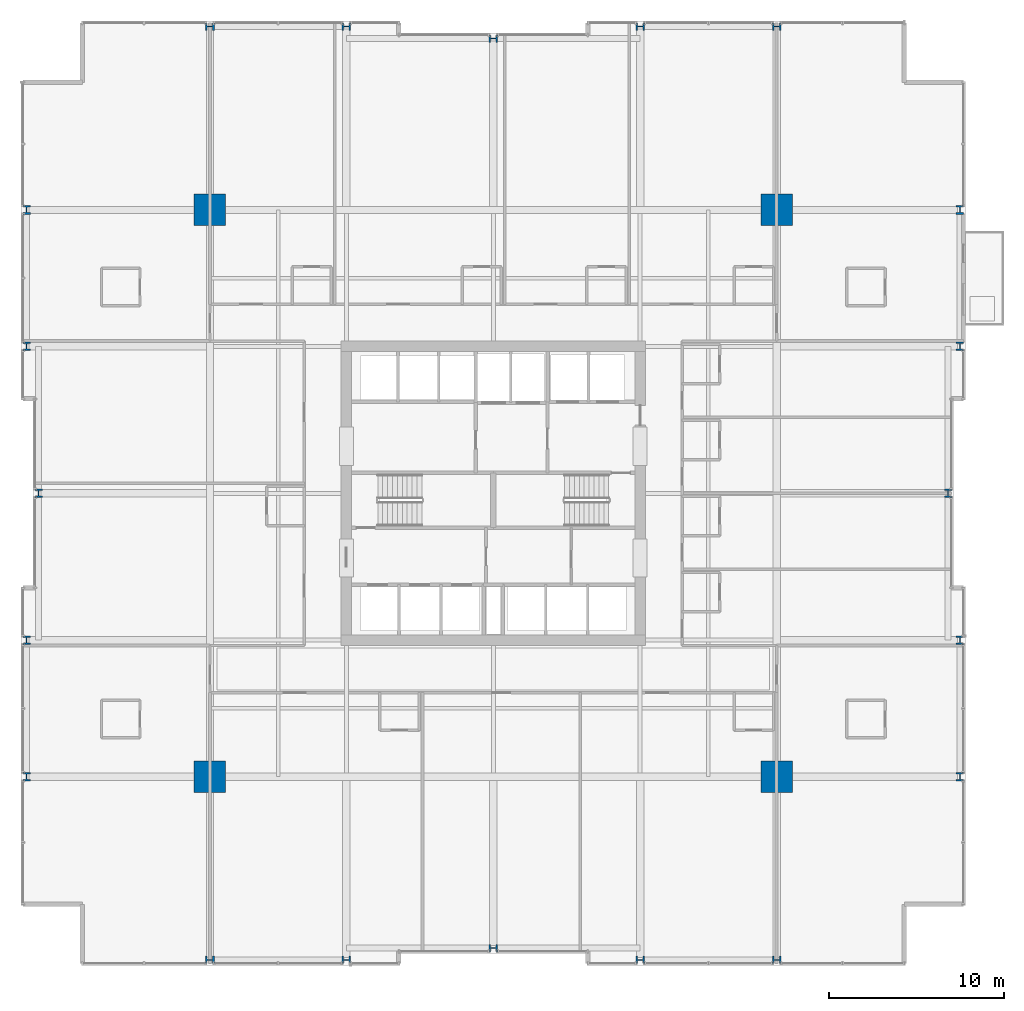
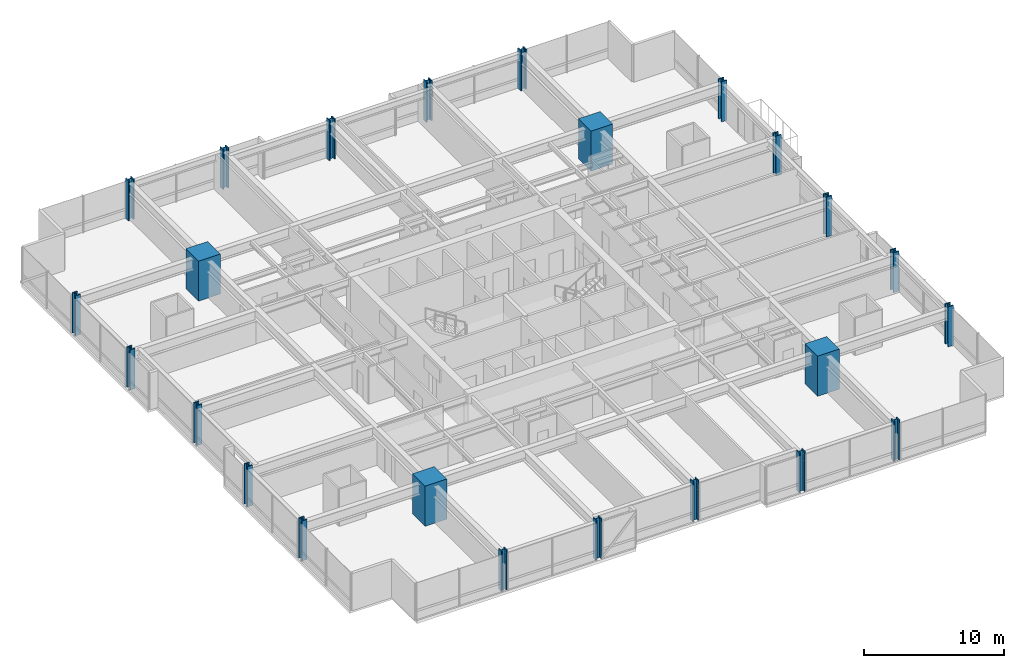
# One storey, part 1 of 38: 24 columns.
"""IFC4 building model written with IfcOpenShell, lengths in metres."""

from ifc_helpers import new_model, si_unit, direction, frame, origin, origin_2d, place, context, subcontext, project, spatial, rectangle, i_section, extrude, material, material_profile, profile_set, type_object, element, save


model = new_model("IFC4")

# Units and contexts
model_context = context("Model", 3, precision=1e-05, world=origin(), true_north=direction((0.0, 1.0)))
body_context = subcontext(model_context, "Body", "Model", "MODEL_VIEW")
ifc_project = project(units=[si_unit("LENGTHUNIT", "METRE"), si_unit("AREAUNIT", "SQUARE_METRE"), si_unit("VOLUMEUNIT", "CUBIC_METRE"), si_unit("PLANEANGLEUNIT", "RADIAN"), si_unit("MASSUNIT", "GRAM", prefix="KILO")], contexts=[model_context])

# Site, building, storey
site_placement = place(None, origin())
site = spatial("IfcSite", under=ifc_project, at=site_placement, CompositionType="ELEMENT")
building_placement = place(site_placement, origin())
building = spatial("IfcBuilding", under=site, at=building_placement, Name="Drelvath Grand Hotel", CompositionType="ELEMENT")
storey_placement = place(building_placement, frame((0.0, 0.0, 47.199951171875)))
storey = spatial("IfcBuildingStorey", under=building, at=storey_placement, Name="L10", CompositionType="ELEMENT", Elevation=47.199951171875)

# Columns
ifc_material_1 = material(Name="Concrete f'c 70 MPa", Category="concrete")
ifc_material_profile_1 = material_profile(ifc_material_1, rectangle(XDim=1.800048828125, YDim=1.800048828125, at=origin_2d()), Name="MC1800X1800")
ifc_profile_set_1 = profile_set([ifc_material_profile_1], Name="Concrete f'c 70 MPa")
column_type_1 = type_object("IfcColumnType", Name="Composite Mega Column MC1800X1800", PredefinedType="COLUMN", material=ifc_profile_set_1)
for number, where, z_axis, x_axis, name in (
    (1, (-16.199951171875, 10.800048828125, 0.0), (0.0, 0.0, 1.0), (1.0, 0.0, 0.0), "L10 Composite Mega Column MC-SW"),
    (2, (16.199951171875, 10.800048828125, 0.0), (0.0, 0.0, 1.0), (1.0, 0.0, 0.0), "L10 Composite Mega Column MC-SE"),
    (3, (-16.199951171875, 43.199951171875, 0.0), (0.0, 0.0, 1.0), (1.0, 0.0, 0.0), "L10 Composite Mega Column MC-NW"),
    (4, (16.199951171875, 43.199951171875, 0.0), (0.0, 0.0, 1.0), (1.0, 0.0, 0.0), "L10 Composite Mega Column MC-NE"),
):
    element("IfcColumn", number, at=place(storey_placement, frame(where, z_axis=z_axis, x_axis=x_axis)), inside=storey, type_object=column_type_1, Name=name, PredefinedType="COLUMN", context=body_context, shape_type="SweptSolid", body=[
        extrude(rectangle(XDim=1.800048828125, YDim=1.800048828125, at=origin_2d()), origin(), (0.0, 0.0, 1.0), 3.5),
    ])
ifc_material_2 = material(Name="Steel ASTM A913 Gr 65", Category="steel")
ifc_material_profile_2 = material_profile(ifc_material_2, i_section(OverallWidth=0.43212890625, OverallDepth=0.497802734375, WebThickness=0.0556640625, FlangeThickness=0.0888671875, FilletRadius=0.030029296875, at=origin_2d()), Name="W14X500")
ifc_profile_set_2 = profile_set([ifc_material_profile_2], Name="Steel ASTM A913 Gr 65")
column_type_2 = type_object("IfcColumnType", Name="Perimeter Steel Column W14X500", PredefinedType="COLUMN", material=ifc_profile_set_2)
for number, where, z_axis, x_axis, name in (
    (5, (-26.679931640625, 10.800048828125, 0.0), (0.0, 0.0, 1.0), (1.0, 0.0, 0.0), "L10 Structural Column TCW-C"),
    (6, (26.679931640625, 10.800048828125, 0.0), (0.0, 0.0, 1.0), (1.0, 0.0, 0.0), "L10 Structural Column TCE-C"),
    (7, (-26.679931640625, 18.60009765625, 0.0), (0.0, 0.0, 1.0), (1.0, 0.0, 0.0), "L10 Structural Column TCW-D"),
    (8, (26.679931640625, 18.60009765625, 0.0), (0.0, 0.0, 1.0), (1.0, 0.0, 0.0), "L10 Structural Column TCE-D"),
    (9, (-26.0, 27.0, 0.0), (0.0, 0.0, 1.0), (1.0, 0.0, 0.0), "L10 Structural Column TCW-E"),
    (10, (26.0, 27.0, 0.0), (0.0, 0.0, 1.0), (1.0, 0.0, 0.0), "L10 Structural Column TCE-E"),
    (11, (-26.679931640625, 35.39990234375, 0.0), (0.0, 0.0, 1.0), (1.0, 0.0, 0.0), "L10 Structural Column TCW-F"),
    (12, (26.679931640625, 35.39990234375, 0.0), (0.0, 0.0, 1.0), (1.0, 0.0, 0.0), "L10 Structural Column TCE-F"),
    (13, (-26.679931640625, 43.199951171875, 0.0), (0.0, 0.0, 1.0), (1.0, 0.0, 0.0), "L10 Structural Column TCW-G"),
    (14, (26.679931640625, 43.199951171875, 0.0), (0.0, 0.0, 1.0), (1.0, 0.0, 0.0), "L10 Structural Column TCE-G"),
    (15, (-16.199951171875, 0.320068359375, 0.0), (0.0, 0.0, 1.0), (0.0, 1.0, 0.0), "L10 Structural Column TCS-3"),
    (16, (-16.199951171875, 53.679931640625, 0.0), (0.0, 0.0, 1.0), (0.0, 1.0, 0.0), "L10 Structural Column TCN-3"),
    (17, (-8.39990234375, 0.320068359375, 0.0), (0.0, 0.0, 1.0), (0.0, 1.0, 0.0), "L10 Structural Column TCS-4"),
    (18, (-8.39990234375, 53.679931640625, 0.0), (0.0, 0.0, 1.0), (0.0, 1.0, 0.0), "L10 Structural Column TCN-4"),
    (19, (0.0, 1.0, 0.0), (0.0, 0.0, 1.0), (0.0, 1.0, 0.0), "L10 Structural Column TCS-5"),
    (20, (0.0, 53.0, 0.0), (0.0, 0.0, 1.0), (0.0, 1.0, 0.0), "L10 Structural Column TCN-5"),
    (21, (8.39990234375, 0.320068359375, 0.0), (0.0, 0.0, 1.0), (0.0, 1.0, 0.0), "L10 Structural Column TCS-6"),
    (22, (8.39990234375, 53.679931640625, 0.0), (0.0, 0.0, 1.0), (0.0, 1.0, 0.0), "L10 Structural Column TCN-6"),
    (23, (16.199951171875, 0.320068359375, 0.0), (0.0, 0.0, 1.0), (0.0, 1.0, 0.0), "L10 Structural Column TCS-7"),
    (24, (16.199951171875, 53.679931640625, 0.0), (0.0, 0.0, 1.0), (0.0, 1.0, 0.0), "L10 Structural Column TCN-7"),
):
    element("IfcColumn", number, at=place(storey_placement, frame(where, z_axis=z_axis, x_axis=x_axis)), inside=storey, type_object=column_type_2, Name=name, PredefinedType="COLUMN", context=body_context, shape_type="SweptSolid", body=[
        extrude(i_section(OverallWidth=0.43212890625, OverallDepth=0.497802734375, WebThickness=0.0556640625, FlangeThickness=0.0888671875, FilletRadius=0.030029296875, at=origin_2d()), origin(), (0.0, 0.0, 1.0), 3.4970703125),
    ])

save(model, "model.ifc")
